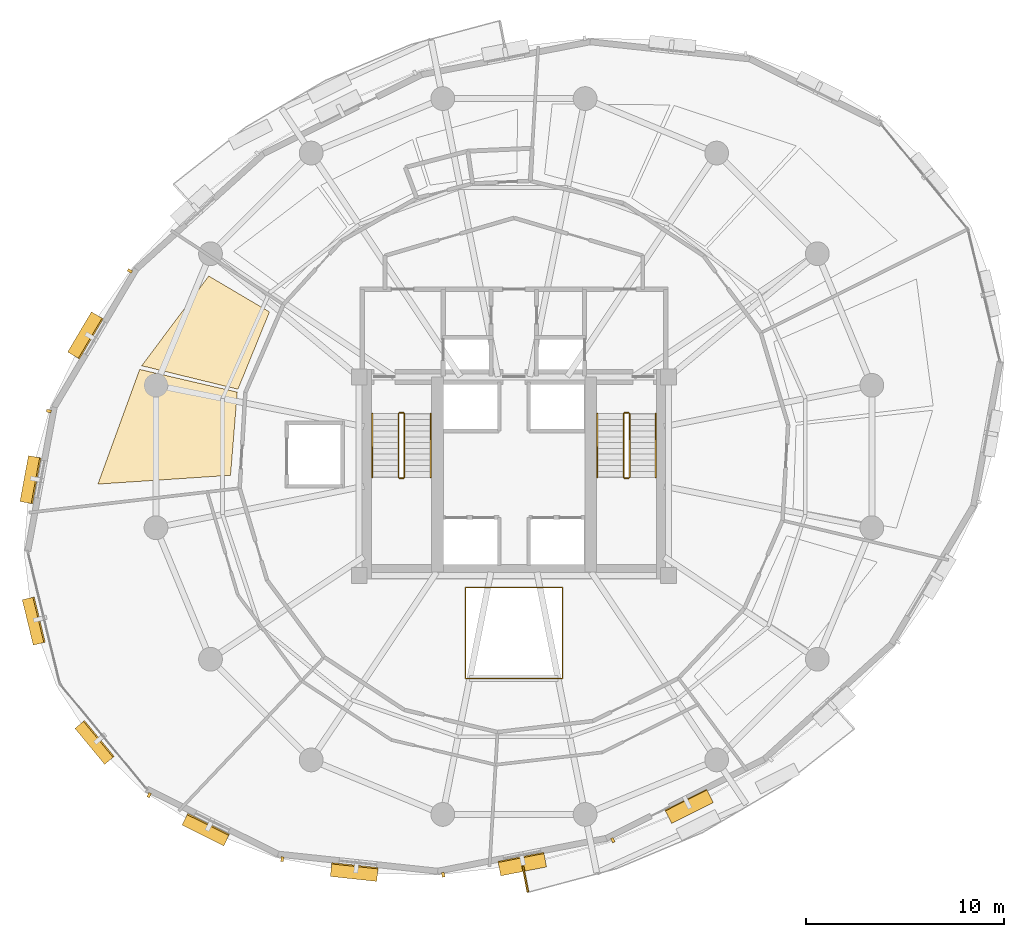
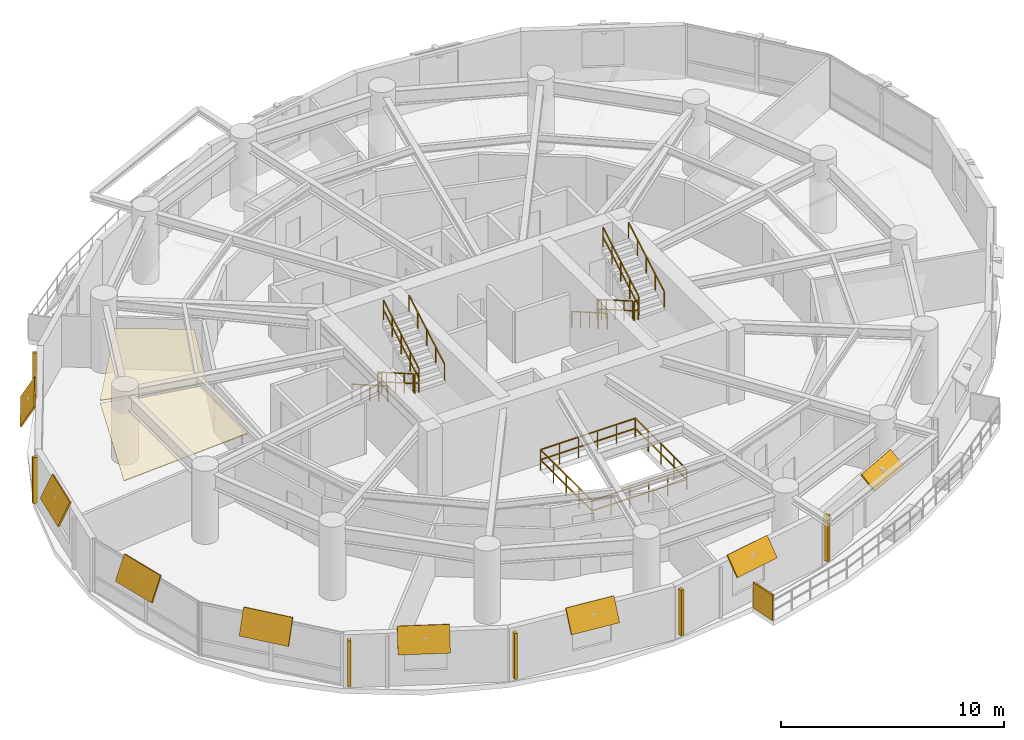
# One storey, part 13 of 14: 15 shading devices, 13 railings, 2 coverings.
"""IFC4 building model written with IfcOpenShell, lengths in metres."""

from ifc_helpers import new_model, si_unit, direction, frame, origin, origin_2d, place, context, subcontext, project, spatial, polyline, rectangle, outline, extrude, material, layer, layer_set, type_object, element, save


model = new_model("IFC4")

# Units and contexts
model_context = context("Model", 3, precision=1e-05, world=origin(), true_north=direction((0.0, 1.0)))
body_context = subcontext(model_context, "Body", "Model", "MODEL_VIEW")
ifc_project = project(units=[si_unit("LENGTHUNIT", "METRE"), si_unit("AREAUNIT", "SQUARE_METRE"), si_unit("VOLUMEUNIT", "CUBIC_METRE"), si_unit("PLANEANGLEUNIT", "RADIAN"), si_unit("MASSUNIT", "GRAM", prefix="KILO"), si_unit("THERMODYNAMICTEMPERATUREUNIT", "KELVIN"), si_unit("POWERUNIT", "WATT")], contexts=[model_context])

# Site, building, storey
site_placement = place(None, origin())
site = spatial("IfcSite", under=ifc_project, at=site_placement, CompositionType="ELEMENT")
building_placement = place(site_placement, origin())
building = spatial("IfcBuilding", under=site, at=building_placement, Name="Ocrelia Relay Tower", CompositionType="ELEMENT")
storey_placement = place(building_placement, frame((0.0, 0.0, 145.800048828125)))
storey = spatial("IfcBuildingStorey", under=building, at=storey_placement, Name="L34", CompositionType="ELEMENT", Elevation=145.800048828125)

# Coverings
ifc_material_1 = material(Name="Cleanroom metal-pan acoustic ceiling", Category="aluminium")
ifc_layer_1 = layer(ifc_material_1, 0.0400390625, Name="Cleanroom metal-pan acoustic ceiling")
ifc_layer_set_1 = layer_set([ifc_layer_1], Name="Cleanroom metal-pan acoustic ceiling")
covering_type = type_object("IfcCoveringType", Name="COV-CEIL-CLEAN", PredefinedType="CEILING", material=ifc_layer_set_1)
covering_1_placement = place(storey_placement, frame((0.0, 0.0, 2.719970703125)))
element("IfcCovering", 1, at=covering_1_placement, inside=storey, type_object=covering_type, Name="L34 Optical Switching Hall A Suspended Ceiling 1", PredefinedType="CEILING", context=body_context, shape_type="SweptSolid", body=[
    extrude(outline(polyline([(21.67431640625, 33.28955078125), (18.612060546875, 35.100341796875), (15.233642578125, 30.57470703125), (20.08740234375, 29.3916015625), (21.67431640625, 33.28955078125)])), origin(), (0.0, 0.0, 1.0), 0.0400390625),
])
covering_2_placement = place(storey_placement, frame((0.0, 0.0, 2.719970703125)))
element("IfcCovering", 2, at=covering_2_placement, inside=storey, type_object=covering_type, Name="L34 Optical Switching Hall A Suspended Ceiling 2", PredefinedType="CEILING", context=body_context, shape_type="SweptSolid", body=[
    extrude(outline(polyline([(20.052734375, 29.24560546875), (15.130126953125, 30.39111328125), (13.024169921875, 24.606689453125), (19.71142578125, 25.051025390625), (20.052734375, 29.24560546875)])), origin(), (0.0, 0.0, 1.0), 0.0400390625),
])

# Railings
ifc_material_2 = material(Name="Steel S355 atrium balustrade", Category="steel")
railing_type_1 = type_object("IfcRailingType", Name="RL-INT-GUARD-115", PredefinedType="GUARDRAIL", material=ifc_material_2)
railing_1_placement = place(storey_placement, frame((31.550048828125, 14.800048828125, 0.0)))
element("IfcRailing", 3, at=railing_1_placement, inside=storey, type_object=railing_type_1, Name="L34 Multi-Zone Interior Atrium Guard", PredefinedType="GUARDRAIL", context=body_context, shape_type="SweptSolid", body=[
    extrude(rectangle(XDim=0.048095703125, YDim=0.048095703125, at=origin_2d()), frame((0.0, 0.0, 1.1259765625), z_axis=(1.0, 0.0, 0.0), x_axis=(0.0, 1.0, 0.0)), (0.0, 0.0, 1.0), 4.89990234375),
    extrude(rectangle(XDim=0.048095703125, YDim=0.048095703125, at=origin_2d()), frame((0.0, 0.0, 0.574951171875), z_axis=(1.0, 0.0, 0.0), x_axis=(0.0, 1.0, 0.0)), (0.0, 0.0, 1.0), 4.89990234375),
    extrude(rectangle(XDim=0.048095703125, YDim=0.048095703125, at=origin_2d()), frame((4.89990234375, 0.0, 1.1259765625), z_axis=(0.0, 1.0, 0.0), x_axis=(-1.0, 0.0, 0.0)), (0.0, 0.0, 1.0), 4.599853515625),
    extrude(rectangle(XDim=0.048095703125, YDim=0.048095703125, at=origin_2d()), frame((4.89990234375, 0.0, 0.574951171875), z_axis=(0.0, 1.0, 0.0), x_axis=(-1.0, 0.0, 0.0)), (0.0, 0.0, 1.0), 4.599853515625),
    extrude(rectangle(XDim=0.048095703125, YDim=0.048095703125, at=origin_2d()), frame((4.89990234375, 4.599853515625, 1.1259765625), z_axis=(-1.0, 0.0, 0.0), x_axis=(0.0, -1.0, 0.0)), (0.0, 0.0, 1.0), 4.89990234375),
    extrude(rectangle(XDim=0.048095703125, YDim=0.048095703125, at=origin_2d()), frame((4.89990234375, 4.599853515625, 0.574951171875), z_axis=(-1.0, 0.0, 0.0), x_axis=(0.0, -1.0, 0.0)), (0.0, 0.0, 1.0), 4.89990234375),
    extrude(rectangle(XDim=0.048095703125, YDim=0.048095703125, at=origin_2d()), frame((0.0, 4.599853515625, 1.1259765625), z_axis=(0.0, -1.0, 0.0), x_axis=(1.0, 0.0, 0.0)), (0.0, 0.0, 1.0), 4.599853515625),
    extrude(rectangle(XDim=0.048095703125, YDim=0.048095703125, at=origin_2d()), frame((0.0, 4.599853515625, 0.574951171875), z_axis=(0.0, -1.0, 0.0), x_axis=(1.0, 0.0, 0.0)), (0.0, 0.0, 1.0), 4.599853515625),
    extrude(rectangle(XDim=0.0419921875, YDim=0.0419921875, at=origin_2d()), origin(), (0.0, 0.0, 1.0), 1.101806640625),
    extrude(rectangle(XDim=0.0419921875, YDim=0.0419921875, at=origin_2d()), frame((0.97998046875, 0.0, 0.0)), (0.0, 0.0, 1.0), 1.101806640625),
    extrude(rectangle(XDim=0.0419921875, YDim=0.0419921875, at=origin_2d()), frame((1.9599609375, 0.0, 0.0)), (0.0, 0.0, 1.0), 1.101806640625),
    extrude(rectangle(XDim=0.0419921875, YDim=0.0419921875, at=origin_2d()), frame((2.93994140625, 0.0, 0.0)), (0.0, 0.0, 1.0), 1.101806640625),
    extrude(rectangle(XDim=0.0419921875, YDim=0.0419921875, at=origin_2d()), frame((3.919921875, 0.0, 0.0)), (0.0, 0.0, 1.0), 1.101806640625),
    extrude(rectangle(XDim=0.0419921875, YDim=0.0419921875, at=origin_2d()), frame((4.89990234375, 0.0, 0.0)), (0.0, 0.0, 1.0), 1.101806640625),
    extrude(rectangle(XDim=0.0419921875, YDim=0.0419921875, at=origin_2d()), frame((4.89990234375, 1.14990234375, 0.0)), (0.0, 0.0, 1.0), 1.101806640625),
    extrude(rectangle(XDim=0.0419921875, YDim=0.0419921875, at=origin_2d()), frame((4.89990234375, 2.2998046875, 0.0)), (0.0, 0.0, 1.0), 1.101806640625),
    extrude(rectangle(XDim=0.0419921875, YDim=0.0419921875, at=origin_2d()), frame((4.89990234375, 3.449951171875, 0.0)), (0.0, 0.0, 1.0), 1.101806640625),
    extrude(rectangle(XDim=0.0419921875, YDim=0.0419921875, at=origin_2d()), frame((4.89990234375, 4.599853515625, 0.0)), (0.0, 0.0, 1.0), 1.101806640625),
    extrude(rectangle(XDim=0.0419921875, YDim=0.0419921875, at=origin_2d()), frame((3.919921875, 4.599853515625, 0.0)), (0.0, 0.0, 1.0), 1.101806640625),
    extrude(rectangle(XDim=0.0419921875, YDim=0.0419921875, at=origin_2d()), frame((2.93994140625, 4.599853515625, 0.0)), (0.0, 0.0, 1.0), 1.101806640625),
    extrude(rectangle(XDim=0.0419921875, YDim=0.0419921875, at=origin_2d()), frame((1.9599609375, 4.599853515625, 0.0)), (0.0, 0.0, 1.0), 1.101806640625),
    extrude(rectangle(XDim=0.0419921875, YDim=0.0419921875, at=origin_2d()), frame((0.97998046875, 4.599853515625, 0.0)), (0.0, 0.0, 1.0), 1.101806640625),
    extrude(rectangle(XDim=0.0419921875, YDim=0.0419921875, at=origin_2d()), frame((0.0, 4.599853515625, 0.0)), (0.0, 0.0, 1.0), 1.101806640625),
    extrude(rectangle(XDim=0.0419921875, YDim=0.0419921875, at=origin_2d()), frame((0.0, 3.449951171875, 0.0)), (0.0, 0.0, 1.0), 1.101806640625),
    extrude(rectangle(XDim=0.0419921875, YDim=0.0419921875, at=origin_2d()), frame((0.0, 2.2998046875, 0.0)), (0.0, 0.0, 1.0), 1.101806640625),
    extrude(rectangle(XDim=0.0419921875, YDim=0.0419921875, at=origin_2d()), frame((0.0, 1.14990234375, 0.0)), (0.0, 0.0, 1.0), 1.101806640625),
])
ifc_material_3 = material(Name="Steel S355 balustrade", Category="steel")
railing_type_2 = type_object("IfcRailingType", Name="RL-STAIR-GUARD", PredefinedType="GUARDRAIL", material=ifc_material_3)
railing_2_placement = place(storey_placement, frame((28.179931640625, 28.14990234375, 0.16650390625)))
element("IfcRailing", 4, at=railing_2_placement, inside=storey, type_object=railing_type_2, Name="L34 ST1 stair guard 1", PredefinedType="GUARDRAIL", context=body_context, shape_type="SweptSolid", body=[
    extrude(rectangle(XDim=0.048095703125, YDim=0.048095703125, at=origin_2d()), frame((0.0, 0.0, 1.076171875), z_axis=(0.0, -0.86699087805, 0.498324008431), x_axis=(1.0, 0.0, 0.0)), (0.0, 0.0, 1.0), 3.679443359375),
    extrude(rectangle(XDim=0.048095703125, YDim=0.048095703125, at=origin_2d()), frame((0.0, 0.0, 0.550048828125), z_axis=(0.0, -0.86699087805, 0.498324008431), x_axis=(1.0, 0.0, 0.0)), (0.0, 0.0, 1.0), 3.679443359375),
    extrude(rectangle(XDim=0.0419921875, YDim=0.0419921875, at=origin_2d()), origin(), (0.0, 0.0, 1.0), 1.052001953125),
    extrude(rectangle(XDim=0.0419921875, YDim=0.0419921875, at=origin_2d()), frame((0.0, -0.79736328125, 0.45849609375)), (0.0, 0.0, 1.0), 1.052001953125),
    extrude(rectangle(XDim=0.0419921875, YDim=0.0419921875, at=origin_2d()), frame((0.0, -1.594970703125, 0.916748046875)), (0.0, 0.0, 1.0), 1.052001953125),
    extrude(rectangle(XDim=0.0419921875, YDim=0.0419921875, at=origin_2d()), frame((0.0, -2.392578125, 1.375)), (0.0, 0.0, 1.0), 1.052001953125),
    extrude(rectangle(XDim=0.0419921875, YDim=0.0419921875, at=origin_2d()), frame((0.0, -3.18994140625, 1.83349609375)), (0.0, 0.0, 1.0), 1.052001953125),
])
railing_3_placement = place(storey_placement, frame((28.22998046875, 24.909912109375, 2.0)))
element("IfcRailing", 5, at=railing_3_placement, inside=storey, type_object=railing_type_2, Name="L34 ST1 stair guard 2", PredefinedType="GUARDRAIL", context=body_context, shape_type="SweptSolid", body=[
    extrude(rectangle(XDim=0.048095703125, YDim=0.048095703125, at=origin_2d()), frame((0.0, 0.0, 1.076171875), z_axis=(1.0, 0.0, 0.0), x_axis=(0.0, 1.0, 0.0)), (0.0, 0.0, 1.0), 0.199951171875),
    extrude(rectangle(XDim=0.048095703125, YDim=0.048095703125, at=origin_2d()), frame((0.0, 0.0, 0.550048828125), z_axis=(1.0, 0.0, 0.0), x_axis=(0.0, 1.0, 0.0)), (0.0, 0.0, 1.0), 0.199951171875),
    extrude(rectangle(XDim=0.0419921875, YDim=0.0419921875, at=origin_2d()), origin(), (0.0, 0.0, 1.0), 1.052001953125),
    extrude(rectangle(XDim=0.0419921875, YDim=0.0419921875, at=origin_2d()), frame((0.199951171875, 0.0, 0.0)), (0.0, 0.0, 1.0), 1.052001953125),
])
railing_4_placement = place(storey_placement, frame((28.47998046875, 24.9599609375, 2.16650390625)))
element("IfcRailing", 6, at=railing_4_placement, inside=storey, type_object=railing_type_2, Name="L34 ST1 stair guard 3", PredefinedType="GUARDRAIL", context=body_context, shape_type="SweptSolid", body=[
    extrude(rectangle(XDim=0.048095703125, YDim=0.048095703125, at=origin_2d()), frame((0.0, 0.0, 1.076171875), z_axis=(0.0, 0.86699087805, 0.498324008431), x_axis=(-1.0, 0.0, 0.0)), (0.0, 0.0, 1.0), 3.679443359375),
    extrude(rectangle(XDim=0.048095703125, YDim=0.048095703125, at=origin_2d()), frame((0.0, 0.0, 0.550048828125), z_axis=(0.0, 0.86699087805, 0.498324008431), x_axis=(-1.0, 0.0, 0.0)), (0.0, 0.0, 1.0), 3.679443359375),
    extrude(rectangle(XDim=0.0419921875, YDim=0.0419921875, at=origin_2d()), origin(), (0.0, 0.0, 1.0), 1.052001953125),
    extrude(rectangle(XDim=0.0419921875, YDim=0.0419921875, at=origin_2d()), frame((0.0, 0.79736328125, 0.45849609375)), (0.0, 0.0, 1.0), 1.052001953125),
    extrude(rectangle(XDim=0.0419921875, YDim=0.0419921875, at=origin_2d()), frame((0.0, 1.594970703125, 0.916748046875)), (0.0, 0.0, 1.0), 1.052001953125),
    extrude(rectangle(XDim=0.0419921875, YDim=0.0419921875, at=origin_2d()), frame((0.0, 2.392578125, 1.375)), (0.0, 0.0, 1.0), 1.052001953125),
    extrude(rectangle(XDim=0.0419921875, YDim=0.0419921875, at=origin_2d()), frame((0.0, 3.18994140625, 1.83349609375)), (0.0, 0.0, 1.0), 1.052001953125),
])
railing_5_placement = place(storey_placement, frame((28.22998046875, 28.199951171875, 0.0)))
element("IfcRailing", 7, at=railing_5_placement, inside=storey, type_object=railing_type_2, Name="L34 ST1 stair guard 4", PredefinedType="GUARDRAIL", context=body_context, shape_type="SweptSolid", body=[
    extrude(rectangle(XDim=0.048095703125, YDim=0.048095703125, at=origin_2d()), frame((0.0, 0.0, 1.076171875), z_axis=(1.0, 0.0, 0.0), x_axis=(0.0, 1.0, 0.0)), (0.0, 0.0, 1.0), 0.199951171875),
    extrude(rectangle(XDim=0.048095703125, YDim=0.048095703125, at=origin_2d()), frame((0.0, 0.0, 0.550048828125), z_axis=(1.0, 0.0, 0.0), x_axis=(0.0, 1.0, 0.0)), (0.0, 0.0, 1.0), 0.199951171875),
    extrude(rectangle(XDim=0.0419921875, YDim=0.0419921875, at=origin_2d()), origin(), (0.0, 0.0, 1.0), 1.052001953125),
    extrude(rectangle(XDim=0.0419921875, YDim=0.0419921875, at=origin_2d()), frame((0.199951171875, 0.0, 0.0)), (0.0, 0.0, 1.0), 1.052001953125),
])
railing_6_placement = place(storey_placement, frame((39.530029296875, 28.14990234375, 0.16650390625)))
element("IfcRailing", 8, at=railing_6_placement, inside=storey, type_object=railing_type_2, Name="L34 ST2 stair guard 1", PredefinedType="GUARDRAIL", context=body_context, shape_type="SweptSolid", body=[
    extrude(rectangle(XDim=0.048095703125, YDim=0.048095703125, at=origin_2d()), frame((0.0, 0.0, 1.076171875), z_axis=(0.0, -0.86699087805, 0.498324008431), x_axis=(1.0, 0.0, 0.0)), (0.0, 0.0, 1.0), 3.679443359375),
    extrude(rectangle(XDim=0.048095703125, YDim=0.048095703125, at=origin_2d()), frame((0.0, 0.0, 0.550048828125), z_axis=(0.0, -0.86699087805, 0.498324008431), x_axis=(1.0, 0.0, 0.0)), (0.0, 0.0, 1.0), 3.679443359375),
    extrude(rectangle(XDim=0.0419921875, YDim=0.0419921875, at=origin_2d()), origin(), (0.0, 0.0, 1.0), 1.052001953125),
    extrude(rectangle(XDim=0.0419921875, YDim=0.0419921875, at=origin_2d()), frame((0.0, -0.79736328125, 0.45849609375)), (0.0, 0.0, 1.0), 1.052001953125),
    extrude(rectangle(XDim=0.0419921875, YDim=0.0419921875, at=origin_2d()), frame((0.0, -1.594970703125, 0.916748046875)), (0.0, 0.0, 1.0), 1.052001953125),
    extrude(rectangle(XDim=0.0419921875, YDim=0.0419921875, at=origin_2d()), frame((0.0, -2.392578125, 1.375)), (0.0, 0.0, 1.0), 1.052001953125),
    extrude(rectangle(XDim=0.0419921875, YDim=0.0419921875, at=origin_2d()), frame((0.0, -3.18994140625, 1.83349609375)), (0.0, 0.0, 1.0), 1.052001953125),
])
railing_7_placement = place(storey_placement, frame((39.580078125, 24.909912109375, 2.0)))
element("IfcRailing", 9, at=railing_7_placement, inside=storey, type_object=railing_type_2, Name="L34 ST2 stair guard 2", PredefinedType="GUARDRAIL", context=body_context, shape_type="SweptSolid", body=[
    extrude(rectangle(XDim=0.048095703125, YDim=0.048095703125, at=origin_2d()), frame((0.0, 0.0, 1.076171875), z_axis=(1.0, 0.0, 0.0), x_axis=(0.0, 1.0, 0.0)), (0.0, 0.0, 1.0), 0.199951171875),
    extrude(rectangle(XDim=0.048095703125, YDim=0.048095703125, at=origin_2d()), frame((0.0, 0.0, 0.550048828125), z_axis=(1.0, 0.0, 0.0), x_axis=(0.0, 1.0, 0.0)), (0.0, 0.0, 1.0), 0.199951171875),
    extrude(rectangle(XDim=0.0419921875, YDim=0.0419921875, at=origin_2d()), origin(), (0.0, 0.0, 1.0), 1.052001953125),
    extrude(rectangle(XDim=0.0419921875, YDim=0.0419921875, at=origin_2d()), frame((0.199951171875, 0.0, 0.0)), (0.0, 0.0, 1.0), 1.052001953125),
])
railing_8_placement = place(storey_placement, frame((39.830078125, 24.9599609375, 2.16650390625)))
element("IfcRailing", 10, at=railing_8_placement, inside=storey, type_object=railing_type_2, Name="L34 ST2 stair guard 3", PredefinedType="GUARDRAIL", context=body_context, shape_type="SweptSolid", body=[
    extrude(rectangle(XDim=0.048095703125, YDim=0.048095703125, at=origin_2d()), frame((0.0, 0.0, 1.076171875), z_axis=(0.0, 0.86699087805, 0.498324008431), x_axis=(-1.0, 0.0, 0.0)), (0.0, 0.0, 1.0), 3.679443359375),
    extrude(rectangle(XDim=0.048095703125, YDim=0.048095703125, at=origin_2d()), frame((0.0, 0.0, 0.550048828125), z_axis=(0.0, 0.86699087805, 0.498324008431), x_axis=(-1.0, 0.0, 0.0)), (0.0, 0.0, 1.0), 3.679443359375),
    extrude(rectangle(XDim=0.0419921875, YDim=0.0419921875, at=origin_2d()), origin(), (0.0, 0.0, 1.0), 1.052001953125),
    extrude(rectangle(XDim=0.0419921875, YDim=0.0419921875, at=origin_2d()), frame((0.0, 0.79736328125, 0.45849609375)), (0.0, 0.0, 1.0), 1.052001953125),
    extrude(rectangle(XDim=0.0419921875, YDim=0.0419921875, at=origin_2d()), frame((0.0, 1.594970703125, 0.916748046875)), (0.0, 0.0, 1.0), 1.052001953125),
    extrude(rectangle(XDim=0.0419921875, YDim=0.0419921875, at=origin_2d()), frame((0.0, 2.392578125, 1.375)), (0.0, 0.0, 1.0), 1.052001953125),
    extrude(rectangle(XDim=0.0419921875, YDim=0.0419921875, at=origin_2d()), frame((0.0, 3.18994140625, 1.83349609375)), (0.0, 0.0, 1.0), 1.052001953125),
])
railing_9_placement = place(storey_placement, frame((39.580078125, 28.199951171875, 0.0)))
element("IfcRailing", 11, at=railing_9_placement, inside=storey, type_object=railing_type_2, Name="L34 ST2 stair guard 4", PredefinedType="GUARDRAIL", context=body_context, shape_type="SweptSolid", body=[
    extrude(rectangle(XDim=0.048095703125, YDim=0.048095703125, at=origin_2d()), frame((0.0, 0.0, 1.076171875), z_axis=(1.0, 0.0, 0.0), x_axis=(0.0, 1.0, 0.0)), (0.0, 0.0, 1.0), 0.199951171875),
    extrude(rectangle(XDim=0.048095703125, YDim=0.048095703125, at=origin_2d()), frame((0.0, 0.0, 0.550048828125), z_axis=(1.0, 0.0, 0.0), x_axis=(0.0, 1.0, 0.0)), (0.0, 0.0, 1.0), 0.199951171875),
    extrude(rectangle(XDim=0.0419921875, YDim=0.0419921875, at=origin_2d()), origin(), (0.0, 0.0, 1.0), 1.052001953125),
    extrude(rectangle(XDim=0.0419921875, YDim=0.0419921875, at=origin_2d()), frame((0.199951171875, 0.0, 0.0)), (0.0, 0.0, 1.0), 1.052001953125),
])
ifc_material_4 = material(Name="Steel S355 tubular handrail", Category="steel")
railing_type_3 = type_object("IfcRailingType", Name="RL-STAIR-HAND", PredefinedType="HANDRAIL", material=ifc_material_4)
railing_10_placement = place(storey_placement, frame((26.860107421875, 28.14990234375, 0.16650390625)))
element("IfcRailing", 12, at=railing_10_placement, inside=storey, type_object=railing_type_3, Name="L34 ST1 stair handrail 1", PredefinedType="HANDRAIL", context=body_context, shape_type="SweptSolid", body=[
    extrude(rectangle(XDim=0.048095703125, YDim=0.048095703125, at=origin_2d()), frame((0.0, 0.0, 0.8759765625), z_axis=(0.0, -0.86699087805, 0.498324008431), x_axis=(1.0, 0.0, 0.0)), (0.0, 0.0, 1.0), 3.679443359375),
    extrude(rectangle(XDim=0.0419921875, YDim=0.0419921875, at=origin_2d()), origin(), (0.0, 0.0, 1.0), 0.851806640625),
    extrude(rectangle(XDim=0.0419921875, YDim=0.0419921875, at=origin_2d()), frame((0.0, -0.79736328125, 0.45849609375)), (0.0, 0.0, 1.0), 0.851806640625),
    extrude(rectangle(XDim=0.0419921875, YDim=0.0419921875, at=origin_2d()), frame((0.0, -1.594970703125, 0.916748046875)), (0.0, 0.0, 1.0), 0.851806640625),
    extrude(rectangle(XDim=0.0419921875, YDim=0.0419921875, at=origin_2d()), frame((0.0, -2.392578125, 1.375)), (0.0, 0.0, 1.0), 0.851806640625),
    extrude(rectangle(XDim=0.0419921875, YDim=0.0419921875, at=origin_2d()), frame((0.0, -3.18994140625, 1.83349609375)), (0.0, 0.0, 1.0), 0.851806640625),
])
railing_11_placement = place(storey_placement, frame((29.800048828125, 24.9599609375, 2.16650390625)))
element("IfcRailing", 13, at=railing_11_placement, inside=storey, type_object=railing_type_3, Name="L34 ST1 stair handrail 2", PredefinedType="HANDRAIL", context=body_context, shape_type="SweptSolid", body=[
    extrude(rectangle(XDim=0.048095703125, YDim=0.048095703125, at=origin_2d()), frame((0.0, 0.0, 0.8759765625), z_axis=(0.0, 0.86699087805, 0.498324008431), x_axis=(-1.0, 0.0, 0.0)), (0.0, 0.0, 1.0), 3.679443359375),
    extrude(rectangle(XDim=0.0419921875, YDim=0.0419921875, at=origin_2d()), origin(), (0.0, 0.0, 1.0), 0.851806640625),
    extrude(rectangle(XDim=0.0419921875, YDim=0.0419921875, at=origin_2d()), frame((0.0, 0.79736328125, 0.45849609375)), (0.0, 0.0, 1.0), 0.851806640625),
    extrude(rectangle(XDim=0.0419921875, YDim=0.0419921875, at=origin_2d()), frame((0.0, 1.594970703125, 0.916748046875)), (0.0, 0.0, 1.0), 0.851806640625),
    extrude(rectangle(XDim=0.0419921875, YDim=0.0419921875, at=origin_2d()), frame((0.0, 2.392578125, 1.375)), (0.0, 0.0, 1.0), 0.851806640625),
    extrude(rectangle(XDim=0.0419921875, YDim=0.0419921875, at=origin_2d()), frame((0.0, 3.18994140625, 1.83349609375)), (0.0, 0.0, 1.0), 0.851806640625),
])
railing_12_placement = place(storey_placement, frame((38.2099609375, 28.14990234375, 0.16650390625)))
element("IfcRailing", 14, at=railing_12_placement, inside=storey, type_object=railing_type_3, Name="L34 ST2 stair handrail 1", PredefinedType="HANDRAIL", context=body_context, shape_type="SweptSolid", body=[
    extrude(rectangle(XDim=0.048095703125, YDim=0.048095703125, at=origin_2d()), frame((0.0, 0.0, 0.8759765625), z_axis=(0.0, -0.86699087805, 0.498324008431), x_axis=(1.0, 0.0, 0.0)), (0.0, 0.0, 1.0), 3.679443359375),
    extrude(rectangle(XDim=0.0419921875, YDim=0.0419921875, at=origin_2d()), origin(), (0.0, 0.0, 1.0), 0.851806640625),
    extrude(rectangle(XDim=0.0419921875, YDim=0.0419921875, at=origin_2d()), frame((0.0, -0.79736328125, 0.45849609375)), (0.0, 0.0, 1.0), 0.851806640625),
    extrude(rectangle(XDim=0.0419921875, YDim=0.0419921875, at=origin_2d()), frame((0.0, -1.594970703125, 0.916748046875)), (0.0, 0.0, 1.0), 0.851806640625),
    extrude(rectangle(XDim=0.0419921875, YDim=0.0419921875, at=origin_2d()), frame((0.0, -2.392578125, 1.375)), (0.0, 0.0, 1.0), 0.851806640625),
    extrude(rectangle(XDim=0.0419921875, YDim=0.0419921875, at=origin_2d()), frame((0.0, -3.18994140625, 1.83349609375)), (0.0, 0.0, 1.0), 0.851806640625),
])
railing_13_placement = place(storey_placement, frame((41.14990234375, 24.9599609375, 2.16650390625)))
element("IfcRailing", 15, at=railing_13_placement, inside=storey, type_object=railing_type_3, Name="L34 ST2 stair handrail 2", PredefinedType="HANDRAIL", context=body_context, shape_type="SweptSolid", body=[
    extrude(rectangle(XDim=0.048095703125, YDim=0.048095703125, at=origin_2d()), frame((0.0, 0.0, 0.8759765625), z_axis=(0.0, 0.86699087805, 0.498324008431), x_axis=(-1.0, 0.0, 0.0)), (0.0, 0.0, 1.0), 3.679443359375),
    extrude(rectangle(XDim=0.0419921875, YDim=0.0419921875, at=origin_2d()), origin(), (0.0, 0.0, 1.0), 0.851806640625),
    extrude(rectangle(XDim=0.0419921875, YDim=0.0419921875, at=origin_2d()), frame((0.0, 0.79736328125, 0.45849609375)), (0.0, 0.0, 1.0), 0.851806640625),
    extrude(rectangle(XDim=0.0419921875, YDim=0.0419921875, at=origin_2d()), frame((0.0, 1.594970703125, 0.916748046875)), (0.0, 0.0, 1.0), 0.851806640625),
    extrude(rectangle(XDim=0.0419921875, YDim=0.0419921875, at=origin_2d()), frame((0.0, 2.392578125, 1.375)), (0.0, 0.0, 1.0), 0.851806640625),
    extrude(rectangle(XDim=0.0419921875, YDim=0.0419921875, at=origin_2d()), frame((0.0, 3.18994140625, 1.83349609375)), (0.0, 0.0, 1.0), 0.851806640625),
])

# Shading devices
ifc_material_5 = material(Name="Perforated oxide terracotta solar screen", Category="masonry")
ifc_layer_2 = layer(ifc_material_5, 0.090087890625, Name="Perforated oxide terracotta solar screen")
ifc_layer_set_2 = layer_set([ifc_layer_2], Name="Perforated oxide terracotta solar screen")
shading_device_type_1 = type_object("IfcShadingDeviceType", Name="SH-BALC-SCREEN", PredefinedType="USERDEFINED", material=ifc_layer_set_2)
shading_device_1_placement = place(storey_placement, frame((34.578857421875, 4.698974609375, 0.0), z_axis=(0.0, 0.0, 1.0), x_axis=(0.189888021778, -0.981805754304, 0.0)))
element("IfcShadingDevice", 16, at=shading_device_1_placement, inside=storey, type_object=shading_device_type_1, Name="L34 Balcony Perforated Terracotta Screen B2-1", ObjectType="SCREEN", PredefinedType="USERDEFINED", context=body_context, shape_type="SweptSolid", body=[
    extrude(rectangle(XDim=1.340087890625, YDim=0.090087890625, at=origin_2d()), origin(), (0.0, 0.0, 1.0), 1.39990234375),
])
ifc_material_6 = material(Name="Extruded oxide terracotta vertical baguette", Category="masonry")
shading_device_type_2 = type_object("IfcShadingDeviceType", Name="SH-TERR-BAGUETTE", PredefinedType="USERDEFINED", material=ifc_material_6)
for number, where, z_axis, x_axis, name in (
    (17, (14.63427734375, 35.357177734375, 0.199951171875), (0.0, 0.0, 1.0), (-0.510271295051, -0.860013491433, 0.0), "L34 Oxide Terracotta Vertical Baguette 07"),
    (18, (10.55419921875, 28.289794921875, 0.199951171875), (0.0, 0.0, 1.0), (-0.180855268319, -0.983509721315, 0.0), "L34 Oxide Terracotta Vertical Baguette 08"),
    (19, (15.6044921875, 8.921875, 0.199951171875), (0.0, 0.0, 1.0), (0.895863643789, -0.444329080455, 0.0), "L34 Oxide Terracotta Vertical Baguette 11"),
    (20, (22.3203125, 5.69970703125, 0.199951171875), (0.0, 0.0, 1.0), (0.994303825095, -0.106582847596, 0.0), "L34 Oxide Terracotta Vertical Baguette 12"),
    (21, (30.434814453125, 4.911376953125, 0.199951171875), (0.0, 0.0, 1.0), (0.981530321483, 0.191306633471, 0.0), "L34 Oxide Terracotta Vertical Baguette 13"),
    (22, (38.985595703125, 6.652099609375, 0.199951171875), (0.0, 0.0, 1.0), (0.894154832082, 0.447757899165, 0.0), "L34 Oxide Terracotta Vertical Baguette 14"),
):
    element("IfcShadingDevice", number, at=place(storey_placement, frame(where, z_axis=z_axis, x_axis=x_axis)), inside=storey, type_object=shading_device_type_2, Name=name, ObjectType="BAGUETTE", PredefinedType="USERDEFINED", context=body_context, shape_type="SweptSolid", body=[
        extrude(rectangle(XDim=0.139892578125, YDim=0.239990234375, at=origin_2d()), origin(), (0.0, 0.0, 1.0), 2.5),
    ])
ifc_material_7 = material(Name="Extruded oxide terracotta fin", Category="masonry")
ifc_layer_3 = layer(ifc_material_7, 0.080078125, Name="Extruded oxide terracotta fin")
ifc_layer_set_3 = layer_set([ifc_layer_3], Name="Extruded oxide terracotta fin")
shading_device_type_3 = type_object("IfcShadingDeviceType", Name="SH-VISOR-FIN-DEEP", PredefinedType="USERDEFINED", material=ifc_layer_set_3)
shading_device_2_placement = place(storey_placement, frame((12.427490234375, 32.086181640625, 2.719970703125), z_axis=(-0.746066106633, 0.442662960776, 0.497428253812), x_axis=(-0.510271295051, -0.860013491433, 0.0)))
element("IfcShadingDevice", 23, at=shading_device_2_placement, inside=storey, type_object=shading_device_type_3, Name="L34 Canted Terracotta Sun-Visor Fin 07", ObjectType="FIN", PredefinedType="USERDEFINED", context=body_context, shape_type="SweptSolid", body=[
    extrude(rectangle(XDim=2.35009765625, YDim=1.2529296875, at=origin_2d()), origin(), (0.0, 0.0, 1.0), 0.080078125),
])
shading_device_3_placement = place(storey_placement, frame((9.66259765625, 24.8212890625, 2.72265625), z_axis=(-0.885546959989, 0.162841128651, 0.435073957475), x_axis=(-0.180855268319, -0.983509721315, 0.0)))
element("IfcShadingDevice", 24, at=shading_device_3_placement, inside=storey, type_object=shading_device_type_3, Name="L34 Canted Terracotta Sun-Visor Fin 08", ObjectType="FIN", PredefinedType="USERDEFINED", context=body_context, shape_type="SweptSolid", body=[
    extrude(rectangle(XDim=2.35009765625, YDim=1.320068359375, at=origin_2d()), origin(), (0.0, 0.0, 1.0), 0.080078125),
])
shading_device_4_placement = place(storey_placement, frame((9.826171875, 17.71435546875, 2.7236328125), z_axis=(-0.88684489798, -0.215061844437, 0.408967639299), x_axis=(0.235671587189, -0.97183275464, 0.0)))
element("IfcShadingDevice", 25, at=shading_device_4_placement, inside=storey, type_object=shading_device_type_3, Name="L34 Canted Terracotta Sun-Visor Fin 09", ObjectType="FIN", PredefinedType="USERDEFINED", context=body_context, shape_type="SweptSolid", body=[
    extrude(rectangle(XDim=2.35009765625, YDim=1.347900390625, at=origin_2d()), origin(), (0.0, 0.0, 1.0), 0.080078125),
])
shading_device_5_placement = place(storey_placement, frame((12.885498046875, 11.60693359375, 2.723388671875), z_axis=(-0.702508909308, -0.580522373197, 0.411673422216), x_axis=(0.637004659062, -0.77085995118, 0.0)))
element("IfcShadingDevice", 26, at=shading_device_5_placement, inside=storey, type_object=shading_device_type_3, Name="L34 Canted Terracotta Sun-Visor Fin 10", ObjectType="FIN", PredefinedType="USERDEFINED", context=body_context, shape_type="SweptSolid", body=[
    extrude(rectangle(XDim=2.35009765625, YDim=1.344970703125, at=origin_2d()), origin(), (0.0, 0.0, 1.0), 0.080078125),
])
shading_device_6_placement = place(storey_placement, frame((18.479248046875, 7.22021484375, 2.72216796875), z_axis=(-0.39823185607, -0.802921657269, 0.443540529265), x_axis=(0.895863643789, -0.444329080455, 0.0)))
element("IfcShadingDevice", 27, at=shading_device_6_placement, inside=storey, type_object=shading_device_type_3, Name="L34 Canted Terracotta Sun-Visor Fin 11", ObjectType="FIN", PredefinedType="USERDEFINED", context=body_context, shape_type="SweptSolid", body=[
    extrude(rectangle(XDim=2.35009765625, YDim=1.31103515625, at=origin_2d()), origin(), (0.0, 0.0, 1.0), 0.080078125),
])
shading_device_7_placement = place(storey_placement, frame((25.95263671875, 5.083984375, 2.719482421875), z_axis=(-0.091616999369, -0.854688488535, 0.510993065504), x_axis=(0.994303825095, -0.106582847596, 0.0)))
element("IfcShadingDevice", 28, at=shading_device_7_placement, inside=storey, type_object=shading_device_type_3, Name="L34 Canted Terracotta Sun-Visor Fin 12", ObjectType="FIN", PredefinedType="USERDEFINED", context=body_context, shape_type="SweptSolid", body=[
    extrude(rectangle(XDim=2.35009765625, YDim=1.238037109375, at=origin_2d()), origin(), (0.0, 0.0, 1.0), 0.080078125),
])
ifc_layer_4 = layer(ifc_material_7, 0.080078125, Name="Extruded oxide terracotta fin")
ifc_layer_set_4 = layer_set([ifc_layer_4], Name="Extruded oxide terracotta fin")
shading_device_type_4 = type_object("IfcShadingDeviceType", Name="SH-VISOR-FIN-MED", PredefinedType="USERDEFINED", material=ifc_layer_set_4)
shading_device_8_placement = place(storey_placement, frame((34.4150390625, 5.480224609375, 2.715087890625), z_axis=(0.150132925474, -0.770281803261, 0.619779031795), x_axis=(0.981530321483, 0.191306633471, 0.0)))
element("IfcShadingDevice", 29, at=shading_device_8_placement, inside=storey, type_object=shading_device_type_4, Name="L34 Canted Terracotta Sun-Visor Fin 13", ObjectType="FIN", PredefinedType="USERDEFINED", context=body_context, shape_type="SweptSolid", body=[
    extrude(rectangle(XDim=2.35009765625, YDim=1.112060546875, at=origin_2d()), origin(), (0.0, 0.0, 1.0), 0.080078125),
])
shading_device_9_placement = place(storey_placement, frame((42.8203125, 8.386474609375, 2.7099609375), z_axis=(0.295697050261, -0.590495325299, 0.750918454472), x_axis=(0.894154832082, 0.447757899165, 0.0)))
element("IfcShadingDevice", 30, at=shading_device_9_placement, inside=storey, type_object=shading_device_type_4, Name="L34 Canted Terracotta Sun-Visor Fin 14", ObjectType="FIN", PredefinedType="USERDEFINED", context=body_context, shape_type="SweptSolid", body=[
    extrude(rectangle(XDim=2.35009765625, YDim=0.93896484375, at=origin_2d()), origin(), (0.0, 0.0, 1.0), 0.080078125),
])

save(model, "model.ifc")
